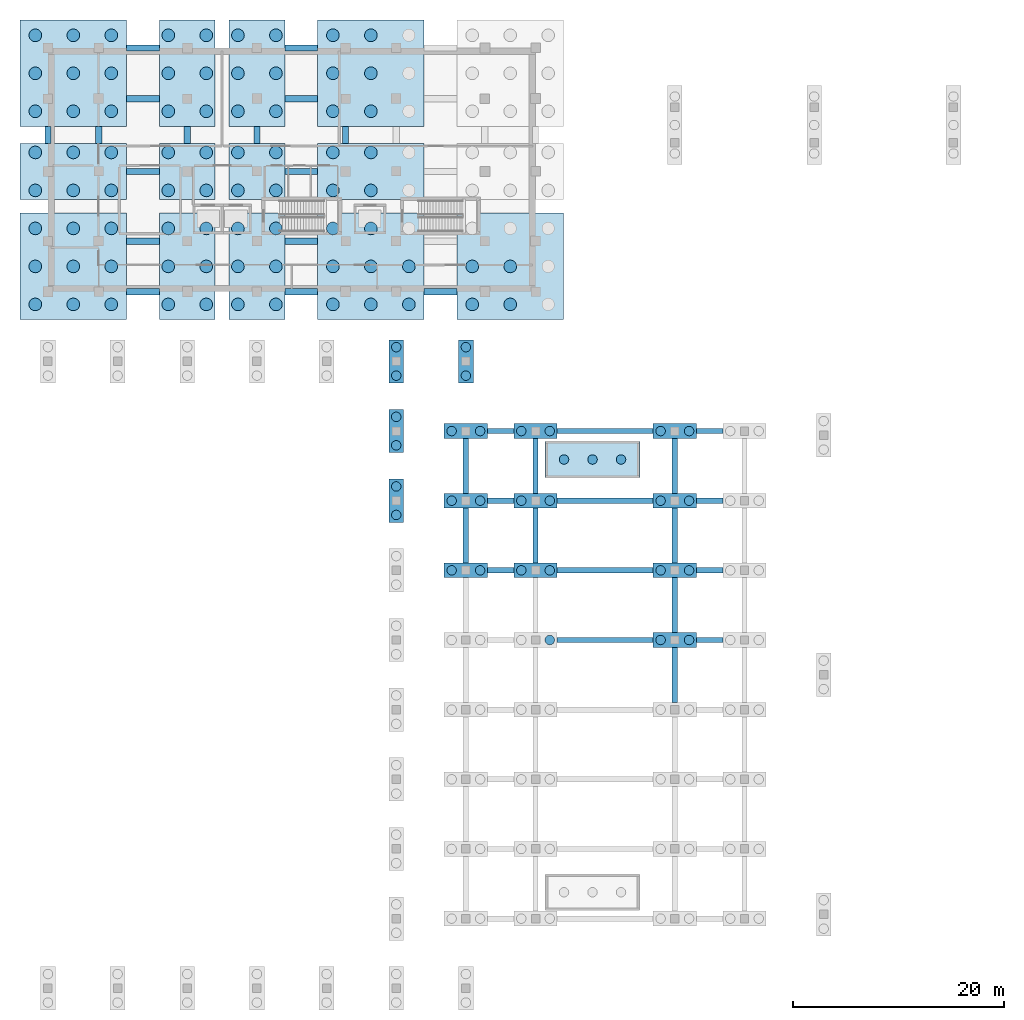
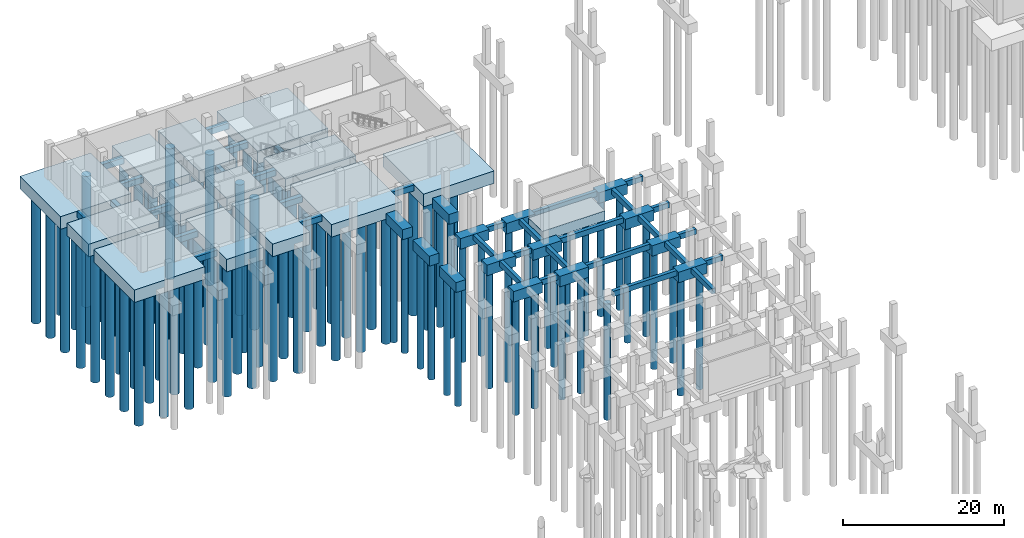
# One storey, part 3 of 23: 110 piles, 63 footings.
"""IFC4 building model written with IfcOpenShell, lengths in metres."""

from ifc_helpers import new_model, si_unit, direction, frame, origin, origin_2d, place, context, subcontext, project, spatial, rectangle, circle, extrude, material, material_profile, profile_set, type_object, element, save


model = new_model("IFC4")

# Units and contexts
model_context = context("Model", 3, precision=1e-05, world=origin(), true_north=direction((0.0, 1.0)))
body_context = subcontext(model_context, "Body", "Model", "MODEL_VIEW")
ifc_project = project(units=[si_unit("LENGTHUNIT", "METRE"), si_unit("AREAUNIT", "SQUARE_METRE"), si_unit("VOLUMEUNIT", "CUBIC_METRE"), si_unit("PLANEANGLEUNIT", "RADIAN"), si_unit("MASSUNIT", "GRAM", prefix="KILO")], contexts=[model_context])

# Site, building, storey
site_placement = place(None, origin())
site = spatial("IfcSite", under=ifc_project, at=site_placement, CompositionType="ELEMENT")
building_placement = place(site_placement, origin())
building = spatial("IfcBuilding", under=site, at=building_placement, Name="Dornvale Research Institute", CompositionType="ELEMENT")
storey_placement = place(building_placement, frame((0.0, 0.0, -5.39990234375)))
storey = spatial("IfcBuildingStorey", under=building, at=storey_placement, Name="B1", CompositionType="ELEMENT", Elevation=-5.39990234375)

# Piles
ifc_material_1 = material(Name="Concrete f'c 35 MPa (C30/37)", Category="concrete")
ifc_material_profile_1 = material_profile(ifc_material_1, circle(Radius=0.60009765625, at=origin_2d()), Name="CIDH PILE D1200")
ifc_profile_set_1 = profile_set([ifc_material_profile_1], Name="Concrete f'c 35 MPa (C30/37)")
pile_type_1 = type_object("IfcPileType", Name="BoredPile_CIDH_1200", PredefinedType="BORED", material=ifc_profile_set_1)
for number, where, z_axis, x_axis, name in (
    (1, (-1.199951171875, 97.800048828125, -2.280029296875), (0.0, 0.0, -1.0), (1.0, 0.0, 0.0), "CIDH bored pile P-01 #307"),
    (2, (-1.199951171875, 101.39990234375, -2.280029296875), (0.0, 0.0, -1.0), (1.0, 0.0, 0.0), "CIDH bored pile P-01 #308"),
    (3, (-1.199951171875, 105.0, -2.280029296875), (0.0, 0.0, -1.0), (1.0, 0.0, 0.0), "CIDH bored pile P-01 #309"),
    (4, (2.39990234375, 97.800048828125, -2.280029296875), (0.0, 0.0, -1.0), (1.0, 0.0, 0.0), "CIDH bored pile P-01 #310"),
    (5, (2.39990234375, 101.39990234375, -2.280029296875), (0.0, 0.0, -1.0), (1.0, 0.0, 0.0), "CIDH bored pile P-01 #311"),
    (6, (2.39990234375, 105.0, -2.280029296875), (0.0, 0.0, -1.0), (1.0, 0.0, 0.0), "CIDH bored pile P-01 #312"),
    (7, (6.0, 97.800048828125, -2.280029296875), (0.0, 0.0, -1.0), (1.0, 0.0, 0.0), "CIDH bored pile P-01 #313"),
    (8, (6.0, 101.39990234375, -2.280029296875), (0.0, 0.0, -1.0), (1.0, 0.0, 0.0), "CIDH bored pile P-01 #314"),
    (9, (6.0, 105.0, -2.280029296875), (0.0, 0.0, -1.0), (1.0, 0.0, 0.0), "CIDH bored pile P-01 #315"),
    (10, (11.39990234375, 97.800048828125, -2.280029296875), (0.0, 0.0, -1.0), (1.0, 0.0, 0.0), "CIDH bored pile P-01 #316"),
    (11, (11.39990234375, 101.39990234375, -2.280029296875), (0.0, 0.0, -1.0), (1.0, 0.0, 0.0), "CIDH bored pile P-01 #317"),
    (12, (11.39990234375, 105.0, -2.280029296875), (0.0, 0.0, -1.0), (1.0, 0.0, 0.0), "CIDH bored pile P-01 #318"),
    (13, (15.0, 97.800048828125, -2.280029296875), (0.0, 0.0, -1.0), (1.0, 0.0, 0.0), "CIDH bored pile P-01 #319"),
    (14, (15.0, 101.39990234375, -2.280029296875), (0.0, 0.0, -1.0), (1.0, 0.0, 0.0), "CIDH bored pile P-01 #320"),
    (15, (15.0, 105.0, -2.280029296875), (0.0, 0.0, -1.0), (1.0, 0.0, 0.0), "CIDH bored pile P-01 #321"),
    (16, (18.0, 97.800048828125, -2.280029296875), (0.0, 0.0, -1.0), (1.0, 0.0, 0.0), "CIDH bored pile P-01 #322"),
    (17, (18.0, 101.39990234375, -2.280029296875), (0.0, 0.0, -1.0), (1.0, 0.0, 0.0), "CIDH bored pile P-01 #323"),
    (18, (18.0, 105.0, -2.280029296875), (0.0, 0.0, -1.0), (1.0, 0.0, 0.0), "CIDH bored pile P-01 #324"),
    (19, (21.60009765625, 97.800048828125, -2.280029296875), (0.0, 0.0, -1.0), (1.0, 0.0, 0.0), "CIDH bored pile P-01 #325"),
    (20, (21.60009765625, 101.39990234375, -2.280029296875), (0.0, 0.0, -1.0), (1.0, 0.0, 0.0), "CIDH bored pile P-01 #326"),
    (21, (21.60009765625, 105.0, -2.280029296875), (0.0, 0.0, -1.0), (1.0, 0.0, 0.0), "CIDH bored pile P-01 #327"),
    (22, (27.0, 97.800048828125, -2.280029296875), (0.0, 0.0, -1.0), (1.0, 0.0, 0.0), "CIDH bored pile P-01 #328"),
    (23, (27.0, 101.39990234375, -2.280029296875), (0.0, 0.0, -1.0), (1.0, 0.0, 0.0), "CIDH bored pile P-01 #329"),
    (24, (27.0, 105.0, -2.280029296875), (0.0, 0.0, -1.0), (1.0, 0.0, 0.0), "CIDH bored pile P-01 #330"),
    (25, (30.60009765625, 97.800048828125, -2.280029296875), (0.0, 0.0, -1.0), (1.0, 0.0, 0.0), "CIDH bored pile P-01 #331"),
    (26, (30.60009765625, 101.39990234375, -2.280029296875), (0.0, 0.0, -1.0), (1.0, 0.0, 0.0), "CIDH bored pile P-01 #332"),
    (27, (30.60009765625, 105.0, -2.280029296875), (0.0, 0.0, -1.0), (1.0, 0.0, 0.0), "CIDH bored pile P-01 #333"),
    (28, (34.199951171875, 97.800048828125, -2.280029296875), (0.0, 0.0, -1.0), (1.0, 0.0, 0.0), "CIDH bored pile P-01 #334"),
    (29, (34.199951171875, 101.39990234375, -2.280029296875), (0.0, 0.0, -1.0), (1.0, 0.0, 0.0), "CIDH bored pile P-01 #335"),
    (30, (40.199951171875, 97.800048828125, -2.280029296875), (0.0, 0.0, -1.0), (1.0, 0.0, 0.0), "CIDH bored pile P-01 #337"),
    (31, (40.199951171875, 101.39990234375, -2.280029296875), (0.0, 0.0, -1.0), (1.0, 0.0, 0.0), "CIDH bored pile P-01 #338"),
    (32, (43.800048828125, 97.800048828125, -2.280029296875), (0.0, 0.0, -1.0), (1.0, 0.0, 0.0), "CIDH bored pile P-01 #340"),
    (33, (43.800048828125, 101.39990234375, -2.280029296875), (0.0, 0.0, -1.0), (1.0, 0.0, 0.0), "CIDH bored pile P-01 #341"),
    (34, (-1.199951171875, 108.60009765625, -2.280029296875), (0.0, 0.0, -1.0), (1.0, 0.0, 0.0), "CIDH bored pile P-01 #384"),
    (35, (-1.199951171875, 112.199951171875, -2.280029296875), (0.0, 0.0, -1.0), (1.0, 0.0, 0.0), "CIDH bored pile P-01 #385"),
    (36, (2.39990234375, 108.60009765625, -2.280029296875), (0.0, 0.0, -1.0), (1.0, 0.0, 0.0), "CIDH bored pile P-01 #386"),
    (37, (2.39990234375, 112.199951171875, -2.280029296875), (0.0, 0.0, -1.0), (1.0, 0.0, 0.0), "CIDH bored pile P-01 #387"),
    (38, (6.0, 108.60009765625, -2.280029296875), (0.0, 0.0, -1.0), (1.0, 0.0, 0.0), "CIDH bored pile P-01 #388"),
    (39, (6.0, 112.199951171875, -2.280029296875), (0.0, 0.0, -1.0), (1.0, 0.0, 0.0), "CIDH bored pile P-01 #389"),
    (40, (11.39990234375, 108.60009765625, -2.280029296875), (0.0, 0.0, -1.0), (1.0, 0.0, 0.0), "CIDH bored pile P-01 #390"),
    (41, (11.39990234375, 112.199951171875, -2.280029296875), (0.0, 0.0, -1.0), (1.0, 0.0, 0.0), "CIDH bored pile P-01 #391"),
    (42, (15.0, 108.60009765625, -2.280029296875), (0.0, 0.0, -1.0), (1.0, 0.0, 0.0), "CIDH bored pile P-01 #392"),
    (43, (15.0, 112.199951171875, -2.280029296875), (0.0, 0.0, -1.0), (1.0, 0.0, 0.0), "CIDH bored pile P-01 #393"),
    (44, (18.0, 108.60009765625, -2.280029296875), (0.0, 0.0, -1.0), (1.0, 0.0, 0.0), "CIDH bored pile P-01 #394"),
    (45, (18.0, 112.199951171875, -2.280029296875), (0.0, 0.0, -1.0), (1.0, 0.0, 0.0), "CIDH bored pile P-01 #395"),
    (46, (21.60009765625, 108.60009765625, -2.280029296875), (0.0, 0.0, -1.0), (1.0, 0.0, 0.0), "CIDH bored pile P-01 #396"),
    (47, (21.60009765625, 112.199951171875, -2.280029296875), (0.0, 0.0, -1.0), (1.0, 0.0, 0.0), "CIDH bored pile P-01 #397"),
    (48, (27.0, 108.60009765625, -2.280029296875), (0.0, 0.0, -1.0), (1.0, 0.0, 0.0), "CIDH bored pile P-01 #398"),
    (49, (27.0, 112.199951171875, -2.280029296875), (0.0, 0.0, -1.0), (1.0, 0.0, 0.0), "CIDH bored pile P-01 #399"),
    (50, (30.60009765625, 108.60009765625, -2.280029296875), (0.0, 0.0, -1.0), (1.0, 0.0, 0.0), "CIDH bored pile P-01 #400"),
    (51, (30.60009765625, 112.199951171875, -2.280029296875), (0.0, 0.0, -1.0), (1.0, 0.0, 0.0), "CIDH bored pile P-01 #401"),
    (52, (-1.199951171875, 116.10009765625, -2.280029296875), (0.0, 0.0, -1.0), (1.0, 0.0, 0.0), "CIDH bored pile P-01 #448"),
    (53, (-1.199951171875, 119.699951171875, -2.280029296875), (0.0, 0.0, -1.0), (1.0, 0.0, 0.0), "CIDH bored pile P-01 #449"),
    (54, (-1.199951171875, 123.300048828125, -2.280029296875), (0.0, 0.0, -1.0), (1.0, 0.0, 0.0), "CIDH bored pile P-01 #450"),
    (55, (2.39990234375, 116.10009765625, -2.280029296875), (0.0, 0.0, -1.0), (1.0, 0.0, 0.0), "CIDH bored pile P-01 #451"),
    (56, (2.39990234375, 119.699951171875, -2.280029296875), (0.0, 0.0, -1.0), (1.0, 0.0, 0.0), "CIDH bored pile P-01 #452"),
    (57, (2.39990234375, 123.300048828125, -2.280029296875), (0.0, 0.0, -1.0), (1.0, 0.0, 0.0), "CIDH bored pile P-01 #453"),
    (58, (6.0, 116.10009765625, -2.280029296875), (0.0, 0.0, -1.0), (1.0, 0.0, 0.0), "CIDH bored pile P-01 #454"),
    (59, (6.0, 119.699951171875, -2.280029296875), (0.0, 0.0, -1.0), (1.0, 0.0, 0.0), "CIDH bored pile P-01 #455"),
    (60, (6.0, 123.300048828125, -2.280029296875), (0.0, 0.0, -1.0), (1.0, 0.0, 0.0), "CIDH bored pile P-01 #456"),
    (61, (11.39990234375, 116.10009765625, -2.280029296875), (0.0, 0.0, -1.0), (1.0, 0.0, 0.0), "CIDH bored pile P-01 #457"),
    (62, (11.39990234375, 119.699951171875, -2.280029296875), (0.0, 0.0, -1.0), (1.0, 0.0, 0.0), "CIDH bored pile P-01 #458"),
    (63, (11.39990234375, 123.300048828125, -2.280029296875), (0.0, 0.0, -1.0), (1.0, 0.0, 0.0), "CIDH bored pile P-01 #459"),
    (64, (15.0, 116.10009765625, -2.280029296875), (0.0, 0.0, -1.0), (1.0, 0.0, 0.0), "CIDH bored pile P-01 #460"),
    (65, (15.0, 119.699951171875, -2.280029296875), (0.0, 0.0, -1.0), (1.0, 0.0, 0.0), "CIDH bored pile P-01 #461"),
    (66, (15.0, 123.300048828125, -2.280029296875), (0.0, 0.0, -1.0), (1.0, 0.0, 0.0), "CIDH bored pile P-01 #462"),
    (67, (18.0, 116.10009765625, -2.280029296875), (0.0, 0.0, -1.0), (1.0, 0.0, 0.0), "CIDH bored pile P-01 #463"),
    (68, (18.0, 119.699951171875, -2.280029296875), (0.0, 0.0, -1.0), (1.0, 0.0, 0.0), "CIDH bored pile P-01 #464"),
    (69, (18.0, 123.300048828125, -2.280029296875), (0.0, 0.0, -1.0), (1.0, 0.0, 0.0), "CIDH bored pile P-01 #465"),
    (70, (21.60009765625, 116.10009765625, -2.280029296875), (0.0, 0.0, -1.0), (1.0, 0.0, 0.0), "CIDH bored pile P-01 #466"),
    (71, (21.60009765625, 119.699951171875, -2.280029296875), (0.0, 0.0, -1.0), (1.0, 0.0, 0.0), "CIDH bored pile P-01 #467"),
    (72, (21.60009765625, 123.300048828125, -2.280029296875), (0.0, 0.0, -1.0), (1.0, 0.0, 0.0), "CIDH bored pile P-01 #468"),
    (73, (27.0, 116.10009765625, -2.280029296875), (0.0, 0.0, -1.0), (1.0, 0.0, 0.0), "CIDH bored pile P-01 #469"),
    (74, (27.0, 119.699951171875, -2.280029296875), (0.0, 0.0, -1.0), (1.0, 0.0, 0.0), "CIDH bored pile P-01 #470"),
    (75, (27.0, 123.300048828125, -2.280029296875), (0.0, 0.0, -1.0), (1.0, 0.0, 0.0), "CIDH bored pile P-01 #471"),
    (76, (30.60009765625, 116.10009765625, -2.280029296875), (0.0, 0.0, -1.0), (1.0, 0.0, 0.0), "CIDH bored pile P-01 #472"),
    (77, (30.60009765625, 119.699951171875, -2.280029296875), (0.0, 0.0, -1.0), (1.0, 0.0, 0.0), "CIDH bored pile P-01 #473"),
    (78, (30.60009765625, 123.300048828125, -2.280029296875), (0.0, 0.0, -1.0), (1.0, 0.0, 0.0), "CIDH bored pile P-01 #474"),
):
    element("IfcPile", number, at=place(storey_placement, frame(where, z_axis=z_axis, x_axis=x_axis)), inside=storey, type_object=pile_type_1, Name=name, PredefinedType="BORED", context=body_context, shape_type="SweptSolid", body=[
        extrude(circle(Radius=0.60009765625, at=origin_2d()), origin(), (0.0, 0.0, 1.0), 19.820068359375),
    ])
ifc_material_2 = material(Name="Concrete f'c 35 MPa (C30/37)", Category="concrete")
ifc_material_profile_2 = material_profile(ifc_material_2, circle(Radius=0.449951171875, at=origin_2d()), Name="CIDH PILE D900")
ifc_profile_set_2 = profile_set([ifc_material_profile_2], Name="Concrete f'c 35 MPa (C30/37)")
pile_type_2 = type_object("IfcPileType", Name="BoredPile_CIDH_900", PredefinedType="BORED", material=ifc_profile_set_2)
for number, where, z_axis, x_axis, name in (
    (79, (47.550048828125, 66.0, -1.47998046875), (0.0, 0.0, -1.0), (1.0, 0.0, 0.0), "CIDH bored pile P-03 #212"),
    (80, (58.050048828125, 66.0, -1.47998046875), (0.0, 0.0, -1.0), (1.0, 0.0, 0.0), "CIDH bored pile P-03 #213"),
    (81, (60.75, 66.0, -1.47998046875), (0.0, 0.0, -1.0), (1.0, 0.0, 0.0), "CIDH bored pile P-03 #214"),
    (82, (38.25, 72.60009765625, -1.47998046875), (0.0, 0.0, -1.0), (1.0, 0.0, 0.0), "CIDH bored pile P-03 #219"),
    (83, (40.949951171875, 72.60009765625, -1.47998046875), (0.0, 0.0, -1.0), (1.0, 0.0, 0.0), "CIDH bored pile P-03 #220"),
    (84, (44.85009765625, 72.60009765625, -1.47998046875), (0.0, 0.0, -1.0), (1.0, 0.0, 0.0), "CIDH bored pile P-03 #221"),
    (85, (47.550048828125, 72.60009765625, -1.47998046875), (0.0, 0.0, -1.0), (1.0, 0.0, 0.0), "CIDH bored pile P-03 #222"),
    (86, (58.050048828125, 72.60009765625, -1.47998046875), (0.0, 0.0, -1.0), (1.0, 0.0, 0.0), "CIDH bored pile P-03 #223"),
    (87, (60.75, 72.60009765625, -1.47998046875), (0.0, 0.0, -1.0), (1.0, 0.0, 0.0), "CIDH bored pile P-03 #224"),
):
    element("IfcPile", number, at=place(storey_placement, frame(where, z_axis=z_axis, x_axis=x_axis)), inside=storey, type_object=pile_type_2, Name=name, PredefinedType="BORED", context=body_context, shape_type="SweptSolid", body=[
        extrude(circle(Radius=0.449951171875, at=origin_2d()), origin(), (0.0, 0.0, 1.0), 17.6201171875),
    ])
for number, where, z_axis, x_axis, name in (
    (88, (33.0, 77.85009765625, -1.380126953125), (0.0, 0.0, -1.0), (1.0, 0.0, 0.0), "CIDH bored pile P-03 #227"),
    (89, (33.0, 80.550048828125, -1.380126953125), (0.0, 0.0, -1.0), (1.0, 0.0, 0.0), "CIDH bored pile P-03 #228"),
):
    element("IfcPile", number, at=place(storey_placement, frame(where, z_axis=z_axis, x_axis=x_axis)), inside=storey, type_object=pile_type_2, Name=name, PredefinedType="BORED", context=body_context, shape_type="SweptSolid", body=[
        extrude(circle(Radius=0.449951171875, at=origin_2d()), origin(), (0.0, 0.0, 1.0), 17.719970703125),
    ])
for number, where, z_axis, x_axis, name in (
    (90, (38.25, 79.199951171875, -1.47998046875), (0.0, 0.0, -1.0), (1.0, 0.0, 0.0), "CIDH bored pile P-03 #229"),
    (91, (40.949951171875, 79.199951171875, -1.47998046875), (0.0, 0.0, -1.0), (1.0, 0.0, 0.0), "CIDH bored pile P-03 #230"),
    (92, (44.85009765625, 79.199951171875, -1.47998046875), (0.0, 0.0, -1.0), (1.0, 0.0, 0.0), "CIDH bored pile P-03 #231"),
    (93, (47.550048828125, 79.199951171875, -1.47998046875), (0.0, 0.0, -1.0), (1.0, 0.0, 0.0), "CIDH bored pile P-03 #232"),
    (94, (58.050048828125, 79.199951171875, -1.47998046875), (0.0, 0.0, -1.0), (1.0, 0.0, 0.0), "CIDH bored pile P-03 #233"),
    (95, (60.75, 79.199951171875, -1.47998046875), (0.0, 0.0, -1.0), (1.0, 0.0, 0.0), "CIDH bored pile P-03 #234"),
):
    element("IfcPile", number, at=place(storey_placement, frame(where, z_axis=z_axis, x_axis=x_axis)), inside=storey, type_object=pile_type_2, Name=name, PredefinedType="BORED", context=body_context, shape_type="SweptSolid", body=[
        extrude(circle(Radius=0.449951171875, at=origin_2d()), origin(), (0.0, 0.0, 1.0), 17.6201171875),
    ])
for number, where, z_axis, x_axis, name in (
    (96, (33.0, 84.449951171875, -1.380126953125), (0.0, 0.0, -1.0), (1.0, 0.0, 0.0), "CIDH bored pile P-03 #239"),
    (97, (33.0, 87.14990234375, -1.380126953125), (0.0, 0.0, -1.0), (1.0, 0.0, 0.0), "CIDH bored pile P-03 #240"),
):
    element("IfcPile", number, at=place(storey_placement, frame(where, z_axis=z_axis, x_axis=x_axis)), inside=storey, type_object=pile_type_2, Name=name, PredefinedType="BORED", context=body_context, shape_type="SweptSolid", body=[
        extrude(circle(Radius=0.449951171875, at=origin_2d()), origin(), (0.0, 0.0, 1.0), 17.719970703125),
    ])
for number, where, z_axis, x_axis, name in (
    (98, (38.25, 85.800048828125, -1.47998046875), (0.0, 0.0, -1.0), (1.0, 0.0, 0.0), "CIDH bored pile P-03 #247"),
    (99, (40.949951171875, 85.800048828125, -1.47998046875), (0.0, 0.0, -1.0), (1.0, 0.0, 0.0), "CIDH bored pile P-03 #248"),
    (100, (44.85009765625, 85.800048828125, -1.47998046875), (0.0, 0.0, -1.0), (1.0, 0.0, 0.0), "CIDH bored pile P-03 #249"),
    (101, (47.550048828125, 85.800048828125, -1.47998046875), (0.0, 0.0, -1.0), (1.0, 0.0, 0.0), "CIDH bored pile P-03 #250"),
    (102, (58.050048828125, 85.800048828125, -1.47998046875), (0.0, 0.0, -1.0), (1.0, 0.0, 0.0), "CIDH bored pile P-03 #251"),
    (103, (60.75, 85.800048828125, -1.47998046875), (0.0, 0.0, -1.0), (1.0, 0.0, 0.0), "CIDH bored pile P-03 #252"),
):
    element("IfcPile", number, at=place(storey_placement, frame(where, z_axis=z_axis, x_axis=x_axis)), inside=storey, type_object=pile_type_2, Name=name, PredefinedType="BORED", context=body_context, shape_type="SweptSolid", body=[
        extrude(circle(Radius=0.449951171875, at=origin_2d()), origin(), (0.0, 0.0, 1.0), 17.6201171875),
    ])
for number, where, z_axis, x_axis, name in (
    (104, (33.0, 91.050048828125, -1.380126953125), (0.0, 0.0, -1.0), (1.0, 0.0, 0.0), "CIDH bored pile P-03 #303"),
    (105, (33.0, 93.75, -1.380126953125), (0.0, 0.0, -1.0), (1.0, 0.0, 0.0), "CIDH bored pile P-03 #304"),
    (106, (39.60009765625, 91.050048828125, -1.380126953125), (0.0, 0.0, -1.0), (1.0, 0.0, 0.0), "CIDH bored pile P-03 #305"),
    (107, (39.60009765625, 93.75, -1.380126953125), (0.0, 0.0, -1.0), (1.0, 0.0, 0.0), "CIDH bored pile P-03 #306"),
    (108, (48.89990234375, 83.10009765625, -1.380126953125), (0.0, 0.0, -1.0), (1.0, 0.0, 0.0), "Shaft CIDH bored pile P-03 ST-8-1"),
    (109, (51.60009765625, 83.10009765625, -1.380126953125), (0.0, 0.0, -1.0), (1.0, 0.0, 0.0), "Shaft CIDH bored pile P-03 ST-8-2"),
    (110, (54.300048828125, 83.10009765625, -1.380126953125), (0.0, 0.0, -1.0), (1.0, 0.0, 0.0), "Shaft CIDH bored pile P-03 ST-8-3"),
):
    element("IfcPile", number, at=place(storey_placement, frame(where, z_axis=z_axis, x_axis=x_axis)), inside=storey, type_object=pile_type_2, Name=name, PredefinedType="BORED", context=body_context, shape_type="SweptSolid", body=[
        extrude(circle(Radius=0.449951171875, at=origin_2d()), origin(), (0.0, 0.0, 1.0), 17.719970703125),
    ])

# Footings
ifc_material_3 = material(Name="Concrete f'c 35 MPa (C30/37)", Category="concrete")
footing_type_1 = type_object("IfcFootingType", Name="FootingBeam_Tie_500x800", PredefinedType="FOOTING_BEAM", material=ifc_material_3)
footing_1_placement = place(storey_placement, frame((52.800048828125, 66.0, -0.80029296875), z_axis=(0.0, 0.0, 1.0), x_axis=(1.0, 0.0, 0.0)))
element("IfcFooting", 111, at=footing_1_placement, inside=storey, type_object=footing_type_1, Name="Seismic tie beam #186", PredefinedType="FOOTING_BEAM", context=body_context, shape_type="SweptSolid", body=[
    extrude(rectangle(XDim=9.10009765625, YDim=0.5, at=origin_2d()), origin(), (0.0, 0.0, 1.0), 0.800048828125),
])
for number, where, z_axis, x_axis, name in (
    (112, (62.699951171875, 66.0, -0.80029296875), (0.0, 0.0, 1.0), (1.0, 0.0, 0.0), "Seismic tie beam #187"),
    (113, (42.89990234375, 72.60009765625, -0.80029296875), (0.0, 0.0, 1.0), (1.0, 0.0, 0.0), "Seismic tie beam #188"),
):
    element("IfcFooting", number, at=place(storey_placement, frame(where, z_axis=z_axis, x_axis=x_axis)), inside=storey, type_object=footing_type_1, Name=name, PredefinedType="FOOTING_BEAM", context=body_context, shape_type="SweptSolid", body=[
        extrude(rectangle(XDim=2.5, YDim=0.5, at=origin_2d()), origin(), (0.0, 0.0, 1.0), 0.800048828125),
    ])
footing_2_placement = place(storey_placement, frame((52.800048828125, 72.60009765625, -0.80029296875), z_axis=(0.0, 0.0, 1.0), x_axis=(1.0, 0.0, 0.0)))
element("IfcFooting", 114, at=footing_2_placement, inside=storey, type_object=footing_type_1, Name="Seismic tie beam #189", PredefinedType="FOOTING_BEAM", context=body_context, shape_type="SweptSolid", body=[
    extrude(rectangle(XDim=9.10009765625, YDim=0.5, at=origin_2d()), origin(), (0.0, 0.0, 1.0), 0.800048828125),
])
for number, where, z_axis, x_axis, name in (
    (115, (62.699951171875, 72.60009765625, -0.80029296875), (0.0, 0.0, 1.0), (1.0, 0.0, 0.0), "Seismic tie beam #190"),
    (116, (42.89990234375, 79.199951171875, -0.80029296875), (0.0, 0.0, 1.0), (1.0, 0.0, 0.0), "Seismic tie beam #191"),
):
    element("IfcFooting", number, at=place(storey_placement, frame(where, z_axis=z_axis, x_axis=x_axis)), inside=storey, type_object=footing_type_1, Name=name, PredefinedType="FOOTING_BEAM", context=body_context, shape_type="SweptSolid", body=[
        extrude(rectangle(XDim=2.5, YDim=0.5, at=origin_2d()), origin(), (0.0, 0.0, 1.0), 0.800048828125),
    ])
footing_3_placement = place(storey_placement, frame((52.800048828125, 79.199951171875, -0.80029296875), z_axis=(0.0, 0.0, 1.0), x_axis=(1.0, 0.0, 0.0)))
element("IfcFooting", 117, at=footing_3_placement, inside=storey, type_object=footing_type_1, Name="Seismic tie beam #192", PredefinedType="FOOTING_BEAM", context=body_context, shape_type="SweptSolid", body=[
    extrude(rectangle(XDim=9.10009765625, YDim=0.5, at=origin_2d()), origin(), (0.0, 0.0, 1.0), 0.800048828125),
])
for number, where, z_axis, x_axis, name in (
    (118, (62.699951171875, 79.199951171875, -0.80029296875), (0.0, 0.0, 1.0), (1.0, 0.0, 0.0), "Seismic tie beam #193"),
    (119, (42.89990234375, 85.800048828125, -0.80029296875), (0.0, 0.0, 1.0), (1.0, 0.0, 0.0), "Seismic tie beam #194"),
):
    element("IfcFooting", number, at=place(storey_placement, frame(where, z_axis=z_axis, x_axis=x_axis)), inside=storey, type_object=footing_type_1, Name=name, PredefinedType="FOOTING_BEAM", context=body_context, shape_type="SweptSolid", body=[
        extrude(rectangle(XDim=2.5, YDim=0.5, at=origin_2d()), origin(), (0.0, 0.0, 1.0), 0.800048828125),
    ])
footing_4_placement = place(storey_placement, frame((52.800048828125, 85.800048828125, -0.80029296875), z_axis=(0.0, 0.0, 1.0), x_axis=(1.0, 0.0, 0.0)))
element("IfcFooting", 120, at=footing_4_placement, inside=storey, type_object=footing_type_1, Name="Seismic tie beam #195", PredefinedType="FOOTING_BEAM", context=body_context, shape_type="SweptSolid", body=[
    extrude(rectangle(XDim=9.10009765625, YDim=0.5, at=origin_2d()), origin(), (0.0, 0.0, 1.0), 0.800048828125),
])
footing_5_placement = place(storey_placement, frame((62.699951171875, 85.800048828125, -0.80029296875), z_axis=(0.0, 0.0, 1.0), x_axis=(1.0, 0.0, 0.0)))
element("IfcFooting", 121, at=footing_5_placement, inside=storey, type_object=footing_type_1, Name="Seismic tie beam #196", PredefinedType="FOOTING_BEAM", context=body_context, shape_type="SweptSolid", body=[
    extrude(rectangle(XDim=2.5, YDim=0.5, at=origin_2d()), origin(), (0.0, 0.0, 1.0), 0.800048828125),
])
for number, where, z_axis, x_axis, name in (
    (122, (39.60009765625, 75.89990234375, -0.80029296875), (0.0, 0.0, 1.0), (0.0, 1.0, 0.0), "Seismic tie beam #202"),
    (123, (39.60009765625, 82.5, -0.80029296875), (0.0, 0.0, 1.0), (0.0, 1.0, 0.0), "Seismic tie beam #203"),
    (124, (46.199951171875, 75.89990234375, -0.80029296875), (0.0, 0.0, 1.0), (0.0, 1.0, 0.0), "Seismic tie beam #209"),
    (125, (46.199951171875, 82.5, -0.80029296875), (0.0, 0.0, 1.0), (0.0, 1.0, 0.0), "Seismic tie beam #210"),
    (126, (59.39990234375, 62.699951171875, -0.80029296875), (0.0, 0.0, 1.0), (0.0, 1.0, 0.0), "Seismic tie beam #214"),
    (127, (59.39990234375, 69.300048828125, -0.80029296875), (0.0, 0.0, 1.0), (0.0, 1.0, 0.0), "Seismic tie beam #215"),
    (128, (59.39990234375, 75.89990234375, -0.80029296875), (0.0, 0.0, 1.0), (0.0, 1.0, 0.0), "Seismic tie beam #216"),
    (129, (59.39990234375, 82.5, -0.80029296875), (0.0, 0.0, 1.0), (0.0, 1.0, 0.0), "Seismic tie beam #217"),
):
    element("IfcFooting", number, at=place(storey_placement, frame(where, z_axis=z_axis, x_axis=x_axis)), inside=storey, type_object=footing_type_1, Name=name, PredefinedType="FOOTING_BEAM", context=body_context, shape_type="SweptSolid", body=[
        extrude(rectangle(XDim=5.199951171875, YDim=0.5, at=origin_2d()), origin(), (0.0, 0.0, 1.0), 0.800048828125),
    ])
ifc_material_4 = material(Name="Concrete f'c 35 MPa (C30/37)", Category="concrete")
footing_type_2 = type_object("IfcFootingType", Name="FootingBeam_Tie_600x900", PredefinedType="FOOTING_BEAM", material=ifc_material_4)
for number, where, z_axis, x_axis, name in (
    (130, (9.0, 99.0, -1.400146484375), (0.0, 0.0, 1.0), (1.0, 0.0, 0.0), "Seismic tie beam #1"),
    (131, (24.0, 99.0, -1.400146484375), (0.0, 0.0, 1.0), (1.0, 0.0, 0.0), "Seismic tie beam #2"),
    (132, (37.199951171875, 99.0, -1.400146484375), (0.0, 0.0, 1.0), (1.0, 0.0, 0.0), "Seismic tie beam #3"),
    (133, (9.0, 103.800048828125, -1.400146484375), (0.0, 0.0, 1.0), (1.0, 0.0, 0.0), "Seismic tie beam #4"),
    (134, (24.0, 103.800048828125, -1.400146484375), (0.0, 0.0, 1.0), (1.0, 0.0, 0.0), "Seismic tie beam #5"),
    (135, (9.0, 110.39990234375, -1.400146484375), (0.0, 0.0, 1.0), (1.0, 0.0, 0.0), "Seismic tie beam #7"),
    (136, (24.0, 110.39990234375, -1.400146484375), (0.0, 0.0, 1.0), (1.0, 0.0, 0.0), "Seismic tie beam #8"),
    (137, (9.0, 117.300048828125, -1.400146484375), (0.0, 0.0, 1.0), (1.0, 0.0, 0.0), "Seismic tie beam #10"),
    (138, (24.0, 117.300048828125, -1.400146484375), (0.0, 0.0, 1.0), (1.0, 0.0, 0.0), "Seismic tie beam #11"),
    (139, (9.0, 122.10009765625, -1.400146484375), (0.0, 0.0, 1.0), (1.0, 0.0, 0.0), "Seismic tie beam #13"),
    (140, (24.0, 122.10009765625, -1.400146484375), (0.0, 0.0, 1.0), (1.0, 0.0, 0.0), "Seismic tie beam #14"),
):
    element("IfcFooting", number, at=place(storey_placement, frame(where, z_axis=z_axis, x_axis=x_axis)), inside=storey, type_object=footing_type_2, Name=name, PredefinedType="FOOTING_BEAM", context=body_context, shape_type="SweptSolid", body=[
        extrude(rectangle(XDim=3.10009765625, YDim=0.60009765625, at=origin_2d()), origin(), (0.0, 0.0, 1.0), 0.89990234375),
    ])
for number, where, z_axis, x_axis, name in (
    (141, (0.0, 113.85009765625, -1.400146484375), (0.0, 0.0, 1.0), (0.0, 1.0, 0.0), "Seismic tie beam #16"),
    (142, (4.800048828125, 113.85009765625, -1.400146484375), (0.0, 0.0, 1.0), (0.0, 1.0, 0.0), "Seismic tie beam #17"),
    (143, (13.199951171875, 113.85009765625, -1.400146484375), (0.0, 0.0, 1.0), (0.0, 1.0, 0.0), "Seismic tie beam #18"),
    (144, (19.800048828125, 113.85009765625, -1.400146484375), (0.0, 0.0, 1.0), (0.0, 1.0, 0.0), "Seismic tie beam #19"),
    (145, (28.199951171875, 113.85009765625, -1.400146484375), (0.0, 0.0, 1.0), (0.0, 1.0, 0.0), "Seismic tie beam #20"),
):
    element("IfcFooting", number, at=place(storey_placement, frame(where, z_axis=z_axis, x_axis=x_axis)), inside=storey, type_object=footing_type_2, Name=name, PredefinedType="FOOTING_BEAM", context=body_context, shape_type="SweptSolid", body=[
        extrude(rectangle(XDim=1.60009765625, YDim=0.60009765625, at=origin_2d()), origin(), (0.0, 0.0, 1.0), 0.89990234375),
    ])
ifc_material_5 = material(Name="Concrete f'c 35 MPa (C30/37)", Category="concrete")
footing_type_3 = type_object("IfcFootingType", Name="PileCap_10100x10100x1900", PredefinedType="PILE_CAP", material=ifc_material_5)
for number, where, z_axis, x_axis, name in (
    (146, (2.39990234375, 101.39990234375, -2.400146484375), (0.0, 0.0, 1.0), (1.0, 0.0, 0.0), "Pile cap PC-07 #144"),
    (147, (30.60009765625, 101.39990234375, -2.400146484375), (0.0, 0.0, 1.0), (1.0, 0.0, 0.0), "Pile cap PC-07 #147"),
    (148, (43.800048828125, 101.39990234375, -2.400146484375), (0.0, 0.0, 1.0), (1.0, 0.0, 0.0), "Pile cap PC-07 #148"),
    (149, (2.39990234375, 119.699951171875, -2.400146484375), (0.0, 0.0, 1.0), (1.0, 0.0, 0.0), "Pile cap PC-07 #172"),
    (150, (30.60009765625, 119.699951171875, -2.400146484375), (0.0, 0.0, 1.0), (1.0, 0.0, 0.0), "Pile cap PC-07 #175"),
):
    element("IfcFooting", number, at=place(storey_placement, frame(where, z_axis=z_axis, x_axis=x_axis)), inside=storey, type_object=footing_type_3, Name=name, PredefinedType="PILE_CAP", context=body_context, shape_type="SweptSolid", body=[
        extrude(rectangle(XDim=10.10009765625, YDim=10.10009765625, at=origin_2d()), origin(), (0.0, 0.0, 1.0), 1.89990234375),
    ])
ifc_material_6 = material(Name="Concrete f'c 35 MPa (C30/37)", Category="concrete")
footing_type_4 = type_object("IfcFootingType", Name="PileCap_10100x5300x1900", PredefinedType="PILE_CAP", material=ifc_material_6)
for number, where, z_axis, x_axis, name in (
    (151, (2.39990234375, 110.39990234375, -2.400146484375), (0.0, 0.0, 1.0), (1.0, 0.0, 0.0), "Pile cap PC-09 #158"),
    (152, (30.60009765625, 110.39990234375, -2.400146484375), (0.0, 0.0, 1.0), (1.0, 0.0, 0.0), "Pile cap PC-09 #161"),
):
    element("IfcFooting", number, at=place(storey_placement, frame(where, z_axis=z_axis, x_axis=x_axis)), inside=storey, type_object=footing_type_4, Name=name, PredefinedType="PILE_CAP", context=body_context, shape_type="SweptSolid", body=[
        extrude(rectangle(XDim=10.10009765625, YDim=5.300048828125, at=origin_2d()), origin(), (0.0, 0.0, 1.0), 1.89990234375),
    ])
ifc_material_7 = material(Name="Concrete f'c 35 MPa (C30/37)", Category="concrete")
footing_type_5 = type_object("IfcFootingType", Name="PileCap_1400x4100x1500", PredefinedType="PILE_CAP", material=ifc_material_7)
for number, where, z_axis, x_axis, name in (
    (153, (33.0, 79.199951171875, -1.5), (0.0, 0.0, 1.0), (1.0, 0.0, 0.0), "Pile cap PC-01 #114"),
    (154, (33.0, 85.800048828125, -1.5), (0.0, 0.0, 1.0), (1.0, 0.0, 0.0), "Pile cap PC-01 #120"),
    (155, (33.0, 92.39990234375, -1.5), (0.0, 0.0, 1.0), (1.0, 0.0, 0.0), "Pile cap PC-01 #142"),
    (156, (39.60009765625, 92.39990234375, -1.5), (0.0, 0.0, 1.0), (1.0, 0.0, 0.0), "Pile cap PC-01 #143"),
):
    element("IfcFooting", number, at=place(storey_placement, frame(where, z_axis=z_axis, x_axis=x_axis)), inside=storey, type_object=footing_type_5, Name=name, PredefinedType="PILE_CAP", context=body_context, shape_type="SweptSolid", body=[
        extrude(rectangle(XDim=1.39990234375, YDim=4.10009765625, at=origin_2d()), origin(), (0.0, 0.0, 1.0), 1.5),
    ])
ifc_material_8 = material(Name="Concrete f'c 35 MPa (C30/37)", Category="concrete")
footing_type_6 = type_object("IfcFootingType", Name="PileCap_4100x1400x1600", PredefinedType="PILE_CAP", material=ifc_material_8)
for number, where, z_axis, x_axis, name in (
    (157, (59.39990234375, 66.0, -1.60009765625), (0.0, 0.0, 1.0), (1.0, 0.0, 0.0), "Pile cap PC-04 #107"),
    (158, (39.60009765625, 72.60009765625, -1.60009765625), (0.0, 0.0, 1.0), (1.0, 0.0, 0.0), "Pile cap PC-04 #110"),
    (159, (46.199951171875, 72.60009765625, -1.60009765625), (0.0, 0.0, 1.0), (1.0, 0.0, 0.0), "Pile cap PC-04 #111"),
    (160, (59.39990234375, 72.60009765625, -1.60009765625), (0.0, 0.0, 1.0), (1.0, 0.0, 0.0), "Pile cap PC-04 #112"),
    (161, (39.60009765625, 79.199951171875, -1.60009765625), (0.0, 0.0, 1.0), (1.0, 0.0, 0.0), "Pile cap PC-04 #115"),
    (162, (46.199951171875, 79.199951171875, -1.60009765625), (0.0, 0.0, 1.0), (1.0, 0.0, 0.0), "Pile cap PC-04 #116"),
    (163, (59.39990234375, 79.199951171875, -1.60009765625), (0.0, 0.0, 1.0), (1.0, 0.0, 0.0), "Pile cap PC-04 #117"),
    (164, (39.60009765625, 85.800048828125, -1.60009765625), (0.0, 0.0, 1.0), (1.0, 0.0, 0.0), "Pile cap PC-04 #124"),
    (165, (46.199951171875, 85.800048828125, -1.60009765625), (0.0, 0.0, 1.0), (1.0, 0.0, 0.0), "Pile cap PC-04 #125"),
    (166, (59.39990234375, 85.800048828125, -1.60009765625), (0.0, 0.0, 1.0), (1.0, 0.0, 0.0), "Pile cap PC-04 #126"),
):
    element("IfcFooting", number, at=place(storey_placement, frame(where, z_axis=z_axis, x_axis=x_axis)), inside=storey, type_object=footing_type_6, Name=name, PredefinedType="PILE_CAP", context=body_context, shape_type="SweptSolid", body=[
        extrude(rectangle(XDim=4.10009765625, YDim=1.39990234375, at=origin_2d()), origin(), (0.0, 0.0, 1.0), 1.60009765625),
    ])
ifc_material_9 = material(Name="Concrete f'c 35 MPa (C30/37)", Category="concrete")
footing_type_7 = type_object("IfcFootingType", Name="PileCap_5300x10100x1900", PredefinedType="PILE_CAP", material=ifc_material_9)
for number, where, z_axis, x_axis, name in (
    (167, (13.199951171875, 101.39990234375, -2.400146484375), (0.0, 0.0, 1.0), (1.0, 0.0, 0.0), "Pile cap PC-08 #145"),
    (168, (19.800048828125, 101.39990234375, -2.400146484375), (0.0, 0.0, 1.0), (1.0, 0.0, 0.0), "Pile cap PC-08 #146"),
    (169, (13.199951171875, 119.699951171875, -2.400146484375), (0.0, 0.0, 1.0), (1.0, 0.0, 0.0), "Pile cap PC-08 #173"),
    (170, (19.800048828125, 119.699951171875, -2.400146484375), (0.0, 0.0, 1.0), (1.0, 0.0, 0.0), "Pile cap PC-08 #174"),
):
    element("IfcFooting", number, at=place(storey_placement, frame(where, z_axis=z_axis, x_axis=x_axis)), inside=storey, type_object=footing_type_7, Name=name, PredefinedType="PILE_CAP", context=body_context, shape_type="SweptSolid", body=[
        extrude(rectangle(XDim=5.300048828125, YDim=10.10009765625, at=origin_2d()), origin(), (0.0, 0.0, 1.0), 1.89990234375),
    ])
ifc_material_10 = material(Name="Concrete f'c 35 MPa (C30/37)", Category="concrete")
footing_type_8 = type_object("IfcFootingType", Name="PileCap_5300x5300x1900", PredefinedType="PILE_CAP", material=ifc_material_10)
for number, where, z_axis, x_axis, name in (
    (171, (13.199951171875, 110.39990234375, -2.400146484375), (0.0, 0.0, 1.0), (1.0, 0.0, 0.0), "Pile cap PC-10 #159"),
    (172, (19.800048828125, 110.39990234375, -2.400146484375), (0.0, 0.0, 1.0), (1.0, 0.0, 0.0), "Pile cap PC-10 #160"),
):
    element("IfcFooting", number, at=place(storey_placement, frame(where, z_axis=z_axis, x_axis=x_axis)), inside=storey, type_object=footing_type_8, Name=name, PredefinedType="PILE_CAP", context=body_context, shape_type="SweptSolid", body=[
        extrude(rectangle(XDim=5.300048828125, YDim=5.300048828125, at=origin_2d()), origin(), (0.0, 0.0, 1.0), 1.89990234375),
    ])
ifc_material_11 = material(Name="Concrete f'c 35 MPa (C30/37)", Category="concrete")
footing_type_9 = type_object("IfcFootingType", Name="PileCap_9000x3400x1500", PredefinedType="PILE_CAP", material=ifc_material_11)
footing_6_placement = place(storey_placement, frame((51.60009765625, 83.10009765625, -1.5), z_axis=(0.0, 0.0, 1.0), x_axis=(1.0, 0.0, 0.0)))
element("IfcFooting", 173, at=footing_6_placement, inside=storey, type_object=footing_type_9, Name="Pile cap PC-15 ST-8", PredefinedType="PILE_CAP", context=body_context, shape_type="SweptSolid", body=[
    extrude(rectangle(XDim=9.0, YDim=3.39990234375, at=origin_2d()), origin(), (0.0, 0.0, 1.0), 1.5),
])

save(model, "model.ifc")
